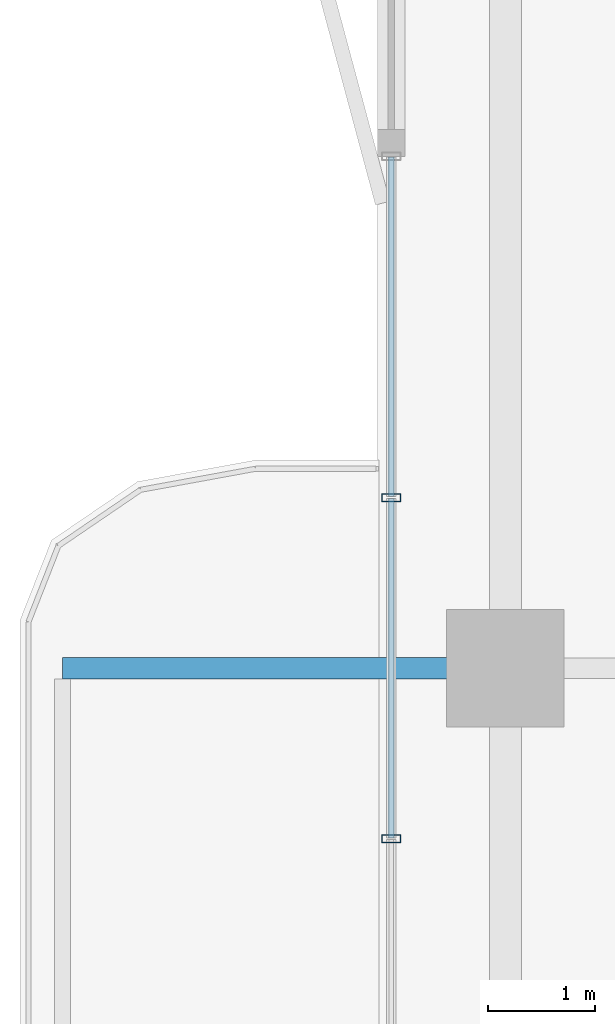
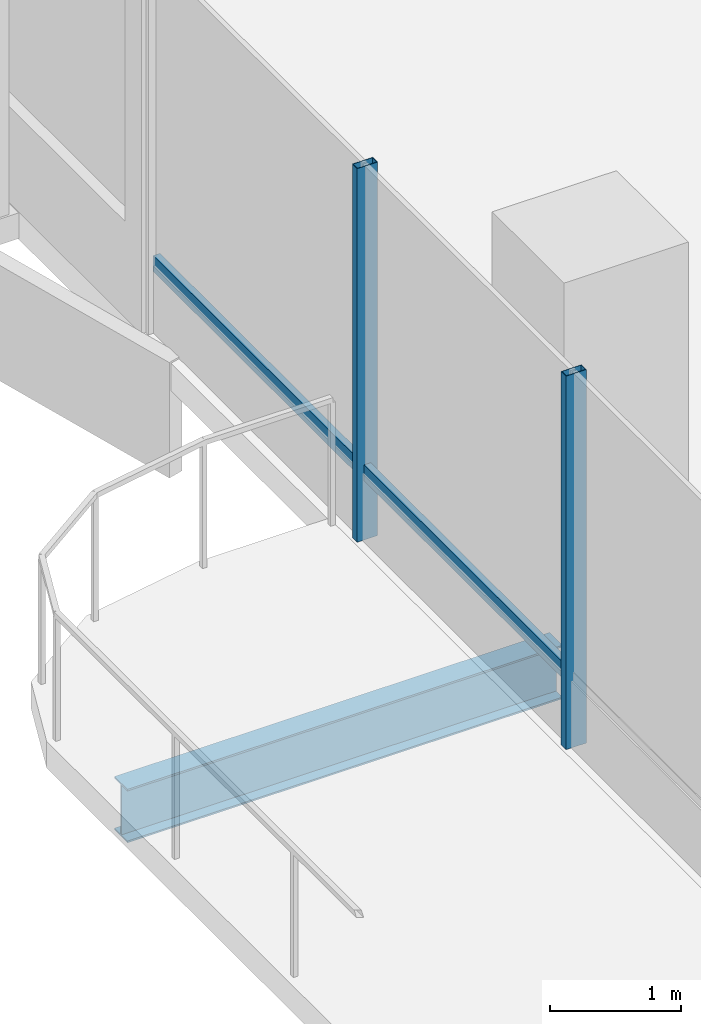
# One storey, part 6 of 25: 4 members, 1 beam, 1 element without a shape of its own.
"""IFC4 building model written with IfcOpenShell, lengths in metres."""

from ifc_helpers import new_model, si_unit, direction, frame, origin, origin_2d, place, context, subcontext, project, spatial, hollow_rectangle, i_section, extrude, material, layer, layer_set, material_profile, profile_set, type_object, element, aggregate, save


model = new_model("IFC4")

# Units and contexts
model_context = context("Model", 3, precision=1e-05, world=origin(), true_north=direction((0.0, 1.0)))
body_context = subcontext(model_context, "Body", "Model", "MODEL_VIEW")
ifc_project = project(units=[si_unit("LENGTHUNIT", "METRE"), si_unit("AREAUNIT", "SQUARE_METRE"), si_unit("VOLUMEUNIT", "CUBIC_METRE"), si_unit("PLANEANGLEUNIT", "RADIAN"), si_unit("MASSUNIT", "GRAM", prefix="KILO")], contexts=[model_context])

# Site, building, storey
site_placement = place(None, origin())
site = spatial("IfcSite", under=ifc_project, at=site_placement, CompositionType="ELEMENT")
building_placement = place(site_placement, origin())
building = spatial("IfcBuilding", under=site, at=building_placement, Name="Belovzor Exchange Tower", CompositionType="ELEMENT")
storey_placement = place(building_placement, frame((0.0, 0.0, 187.050048828125)))
storey = spatial("IfcBuildingStorey", under=building, at=storey_placement, Name="L46", CompositionType="ELEMENT", Elevation=187.050048828125)

# Beam
ifc_material_1 = material(Name="Steel S355", Category="steel")
ifc_material_profile_1 = material_profile(ifc_material_1, i_section(OverallWidth=0.199951171875, OverallDepth=0.5, WebThickness=0.01025390625, FlangeThickness=0.01611328125, at=origin_2d()))
ifc_profile_set_1 = profile_set([ifc_material_profile_1], Name="Steel S355")
beam_type = type_object("IfcBeamType", Name="Planted Balcony Cantilever Beam IPE 500", PredefinedType="BEAM", material=ifc_profile_set_1)
beam_placement = place(storey_placement, frame((5.39697265625, 28.800048828125, -0.505126953125), z_axis=(-1.0, 0.0, 0.0), x_axis=(0.0, -1.0, 0.0)))
element("IfcBeam", 1, at=beam_placement, inside=storey, type_object=beam_type, Name="BC-500 Planted Balcony Cantilever Beam IPE 500", PredefinedType="BEAM", context=body_context, shape_type="SweptSolid", body=[
    extrude(i_section(OverallWidth=0.199951171875, OverallDepth=0.5, WebThickness=0.01025390625, FlangeThickness=0.01611328125, at=origin_2d()), origin(), (0.0, 0.0, 1.0), 3.849853515625),
])

# Curtain wall, members
ifc_material_2 = material(Name="Anodised Aluminium Framing", Category="aluminium")
ifc_layer = layer(ifc_material_2, 0.179931640625)
ifc_layer_set = layer_set([ifc_layer], Name="Anodised Aluminium Framing")
curtain_wall_type = type_object("IfcCurtainWallType", Name="Recessed Loggia Low-Iron Triple-Glazed Curtain Wall", PredefinedType="NOTDEFINED", material=ifc_layer_set)
curtain_wall_placement = place(storey_placement, origin())
curtain_wall = element("IfcCurtainWall", 2, at=curtain_wall_placement, inside=storey, type_object=curtain_wall_type, Name="CW3 Recessed Loggia Low-Iron Triple-Glazed Curtain Wall L46", PredefinedType="NOTDEFINED")
ifc_material_3 = material(Name="Steel S355", Category="steel")
ifc_material_profile_2 = material_profile(ifc_material_3, hollow_rectangle(XDim=0.074951171875, YDim=0.179931640625, WallThickness=0.0048828125, at=origin_2d()))
ifc_profile_set_2 = profile_set([ifc_material_profile_2], Name="Steel S355")
member_type_1 = type_object("IfcMemberType", Name="Thermally Broken Curtain Wall Mullion 180x75", PredefinedType="MULLION", material=ifc_profile_set_2)
member_1_placement = place(storey_placement, frame((4.6298828125, 27.199951171875, 0.0), z_axis=(0.0, 0.0, 1.0), x_axis=(0.0, 1.0, 0.0)))
member_1 = element("IfcMember", 3, at=member_1_placement, type_object=member_type_1, Name="CW-M180 Curtain Wall Mullion 2", PredefinedType="MULLION", context=body_context, shape_type="SweptSolid", body=[
    extrude(hollow_rectangle(XDim=0.074951171875, YDim=0.179931640625, WallThickness=0.0048828125, at=origin_2d()), origin(), (0.0, 0.0, 1.0), 3.494873046875),
])
member_2_placement = place(storey_placement, frame((4.6298828125, 30.39990234375, 0.0), z_axis=(0.0, 0.0, 1.0), x_axis=(0.0, 1.0, 0.0)))
member_2 = element("IfcMember", 4, at=member_2_placement, type_object=member_type_1, Name="CW-M180 Curtain Wall Mullion 3", PredefinedType="MULLION", context=body_context, shape_type="SweptSolid", body=[
    extrude(hollow_rectangle(XDim=0.074951171875, YDim=0.179931640625, WallThickness=0.0048828125, at=origin_2d()), origin(), (0.0, 0.0, 1.0), 3.494873046875),
])
ifc_material_4 = material(Name="Steel S355", Category="steel")
ifc_material_profile_3 = material_profile(ifc_material_4, hollow_rectangle(XDim=0.06005859375, YDim=0.14990234375, WallThickness=0.00390625, at=origin_2d()))
ifc_profile_set_3 = profile_set([ifc_material_profile_3], Name="Steel S355")
member_type_2 = type_object("IfcMemberType", Name="Thermally Broken Curtain Wall Transom 150x60", PredefinedType="USERDEFINED", material=ifc_profile_set_3)
member_3_placement = place(storey_placement, frame((4.6298828125, 27.2080078125, 0.62890625), z_axis=(0.0, 1.0, 0.0), x_axis=(-1.0, 0.0, 0.0)))
member_3 = element("IfcMember", 5, at=member_3_placement, type_object=member_type_2, Name="CW-T150 Curtain Wall Transom 2", ObjectType="TRANSOM", PredefinedType="USERDEFINED", context=body_context, shape_type="SweptSolid", body=[
    extrude(hollow_rectangle(XDim=0.06005859375, YDim=0.14990234375, WallThickness=0.00390625, at=origin_2d()), origin(), (0.0, 0.0, 1.0), 3.18408203125),
])
member_4_placement = place(storey_placement, frame((4.6298828125, 30.407958984375, 0.62890625), z_axis=(0.0, 1.0, 0.0), x_axis=(-1.0, 0.0, 0.0)))
member_4 = element("IfcMember", 6, at=member_4_placement, type_object=member_type_2, Name="CW-T150 Curtain Wall Transom 3", ObjectType="TRANSOM", PredefinedType="USERDEFINED", context=body_context, shape_type="SweptSolid", body=[
    extrude(hollow_rectangle(XDim=0.06005859375, YDim=0.14990234375, WallThickness=0.00390625, at=origin_2d()), origin(), (0.0, 0.0, 1.0), 3.18408203125),
])
aggregate(curtain_wall, [member_1, member_2, member_3, member_4])

save(model, "model.ifc")
